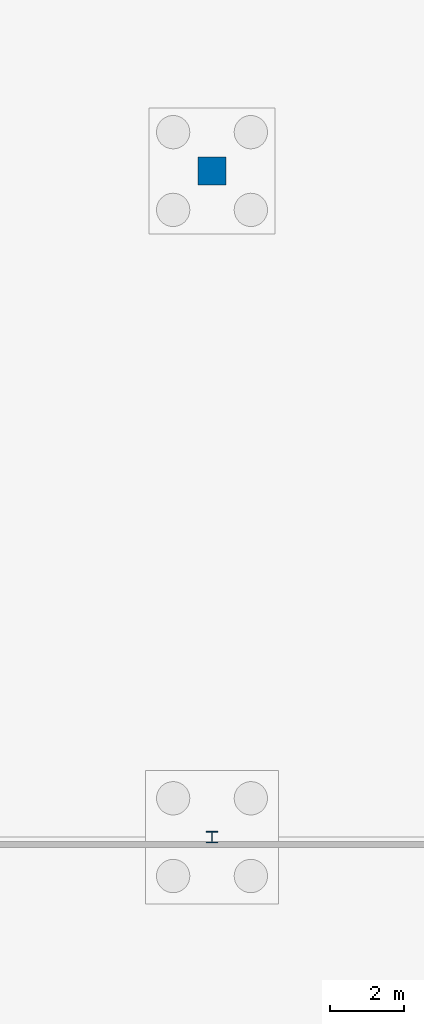
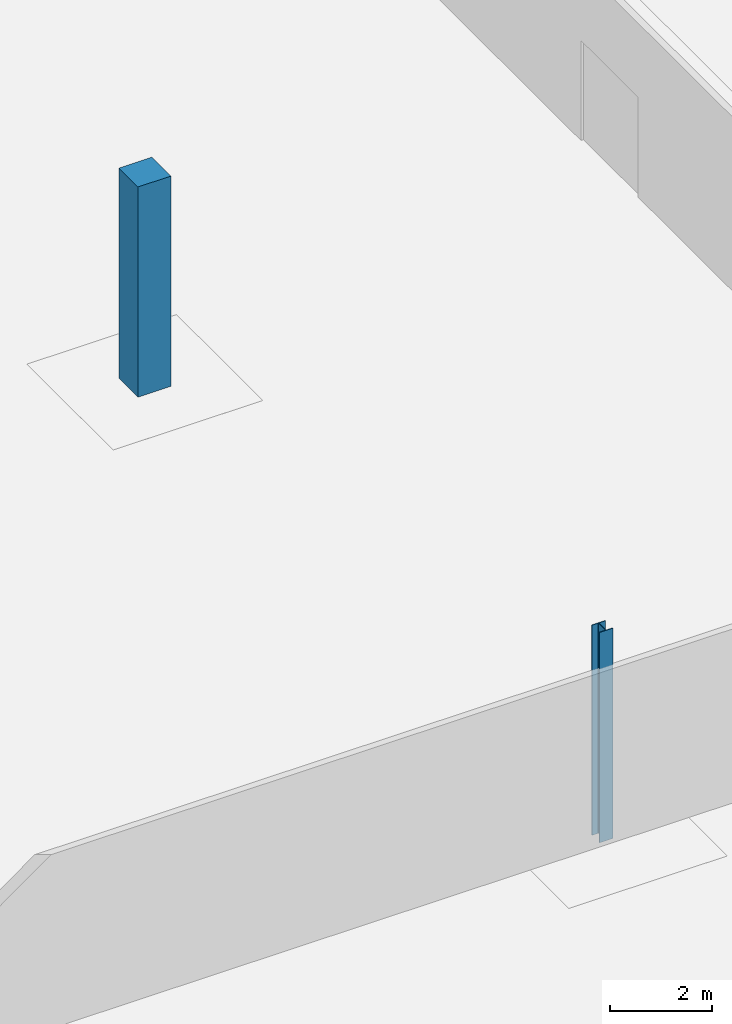
# One storey, part 21 of 58: 2 columns.
"""IFC4 building model written with IfcOpenShell, lengths in metres."""

from ifc_helpers import new_model, si_unit, direction, frame, origin, origin_2d, place, context, subcontext, project, spatial, rectangle, i_section, extrude, material, material_profile, profile_set, type_object, element, save


model = new_model("IFC4")

# Units and contexts
model_context = context("Model", 3, precision=1e-05, world=origin(), true_north=direction((0.0, 1.0)))
body_context = subcontext(model_context, "Body", "Model", "MODEL_VIEW")
ifc_project = project(units=[si_unit("LENGTHUNIT", "METRE"), si_unit("AREAUNIT", "SQUARE_METRE"), si_unit("VOLUMEUNIT", "CUBIC_METRE"), si_unit("PLANEANGLEUNIT", "RADIAN"), si_unit("MASSUNIT", "GRAM", prefix="KILO")], contexts=[model_context])

# Site, building, storey
site_placement = place(None, origin())
site = spatial("IfcSite", under=ifc_project, at=site_placement, CompositionType="ELEMENT")
building_placement = place(site_placement, origin())
building = spatial("IfcBuilding", under=site, at=building_placement, Name="Qamarlyn Nura Convention Centre", CompositionType="ELEMENT")
storey_placement = place(building_placement, frame((0.0, 0.0, -5.39990234375)))
storey = spatial("IfcBuildingStorey", under=building, at=storey_placement, Name="B01", CompositionType="ELEMENT", Elevation=-5.39990234375)

# Columns
ifc_material_1 = material(Name="Concrete C50/60", Category="concrete")
ifc_material_profile_1 = material_profile(ifc_material_1, rectangle(XDim=0.75, YDim=0.75, at=origin_2d()), Name="RC 750x750")
ifc_profile_set_1 = profile_set([ifc_material_profile_1], Name="Concrete C50/60")
column_type_1 = type_object("IfcColumnType", Name="COL-SUB-2", PredefinedType="COLUMN", material=ifc_profile_set_1)
column_1_placement = place(storey_placement, frame((60.0, 81.0, 0.0), z_axis=(0.0, 0.0, 1.0), x_axis=(1.0, 0.0, 0.0)))
element("IfcColumn", 1, at=column_1_placement, inside=storey, type_object=column_type_1, Name="B01 column 5/K", PredefinedType="COLUMN", context=body_context, shape_type="SweptSolid", body=[
    extrude(rectangle(XDim=0.75, YDim=0.75, at=origin_2d()), origin(), (0.0, 0.0, 1.0), 5.0498046875),
])
ifc_material_2 = material(Name="Steel ASTM A992", Category="steel")
ifc_material_profile_2 = material_profile(ifc_material_2, i_section(OverallWidth=0.304931640625, OverallDepth=0.30810546875, WebThickness=0.010009765625, FlangeThickness=0.015380859375, FilletRadius=0.014892578125, at=origin_2d()), Name="W310X97")
ifc_profile_set_2 = profile_set([ifc_material_profile_2], Name="Steel ASTM A992")
column_type_2 = type_object("IfcColumnType", Name="COL-WING-4", PredefinedType="COLUMN", material=ifc_profile_set_2)
column_2_placement = place(storey_placement, frame((60.0, 63.0, 0.0), z_axis=(0.0, 0.0, 1.0), x_axis=(1.0, 0.0, 0.0)))
element("IfcColumn", 2, at=column_2_placement, inside=storey, type_object=column_type_2, Name="B01 column 5/H", PredefinedType="COLUMN", context=body_context, shape_type="SweptSolid", body=[
    extrude(i_section(OverallWidth=0.304931640625, OverallDepth=0.30810546875, WebThickness=0.010009765625, FlangeThickness=0.015380859375, FilletRadius=0.014892578125, at=origin_2d()), origin(), (0.0, 0.0, 1.0), 5.0498046875),
])

save(model, "model.ifc")
